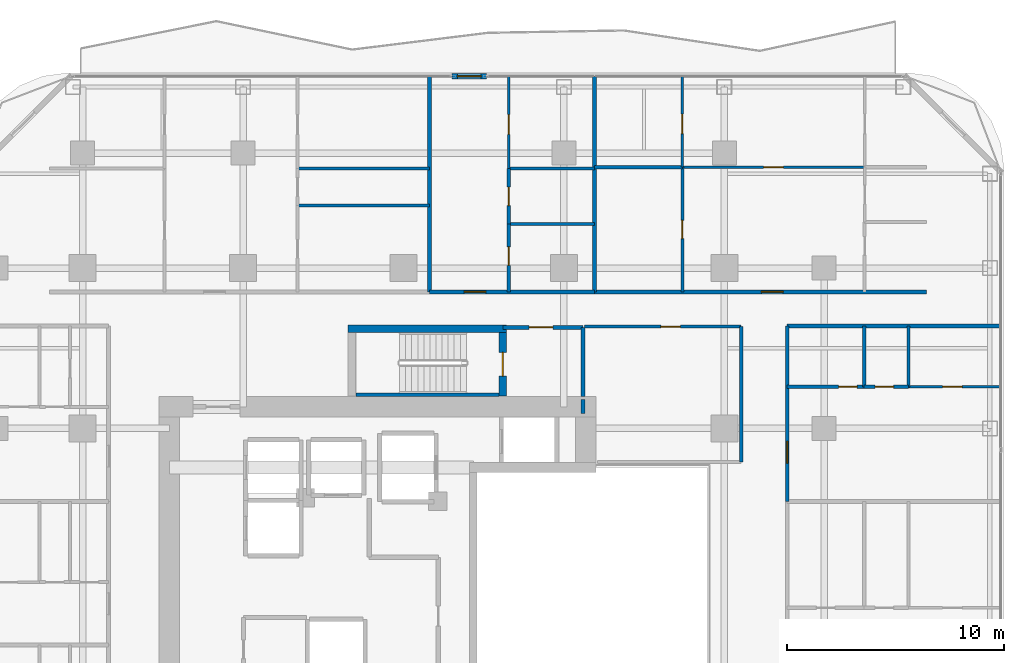
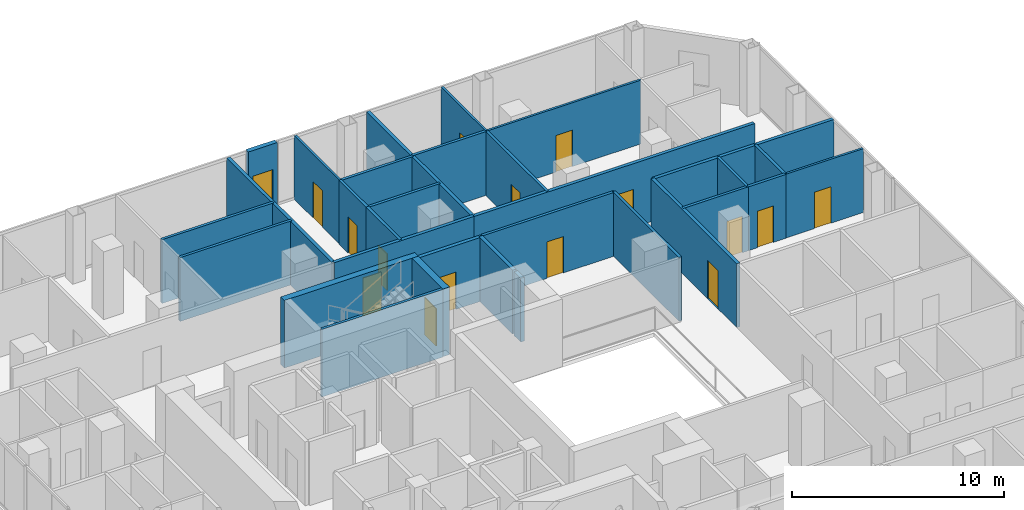
# One storey, part 25 of 29: 31 walls, 16 doors, 16 openings.
"""IFC4 building model written with IfcOpenShell, lengths in metres."""

from ifc_helpers import new_model, si_unit, direction, frame, frame_2d, origin, place, context, subcontext, project, spatial, rectangle, extrude, material, layer, layer_set, type_object, element, fill, save


model = new_model("IFC4")

# Units and contexts
model_context = context("Model", 3, precision=1e-05, world=origin(), true_north=direction((0.0, 1.0)))
body_context = subcontext(model_context, "Body", "Model", "MODEL_VIEW")
ifc_project = project(units=[si_unit("LENGTHUNIT", "METRE"), si_unit("AREAUNIT", "SQUARE_METRE"), si_unit("VOLUMEUNIT", "CUBIC_METRE"), si_unit("PLANEANGLEUNIT", "RADIAN"), si_unit("MASSUNIT", "GRAM", prefix="KILO")], contexts=[model_context])

# Site, building, storey
site_placement = place(None, origin())
site = spatial("IfcSite", under=ifc_project, at=site_placement, CompositionType="ELEMENT")
building_placement = place(site_placement, origin())
building = spatial("IfcBuilding", under=site, at=building_placement, Name="Khorvyn Point Tower", CompositionType="ELEMENT")
storey_placement = place(building_placement, frame((0.0, 0.0, 140.699951171875)))
storey = spatial("IfcBuildingStorey", under=building, at=storey_placement, Name="L35", CompositionType="ELEMENT", Elevation=140.699951171875)

# Wall, opening, door
ifc_material_1 = material(Name="Double acoustic gypsum on twin steel stud", Category="steel")
ifc_layer_1 = layer(ifc_material_1, 0.179931640625)
ifc_layer_set_1 = layer_set([ifc_layer_1], Name="Acoustic Double-Stud Apartment Demising Wall 180")
wall_type_1 = type_object("IfcWallType", Name="Acoustic Double-Stud Apartment Demising Wall 180", PredefinedType="PARTITIONING", material=ifc_layer_set_1)
wall_1_placement = place(storey_placement, frame((1.2041015625, 13.699951171875, 0.0), z_axis=(0.0, 0.0, 1.0), x_axis=(1.0, 0.0, 0.0)))
wall_1 = element("IfcWall", 1, at=wall_1_placement, inside=storey, type_object=wall_type_1, Name="Wall", PredefinedType="PARTITIONING", context=body_context, shape_type="SweptSolid", body=[
    extrude(rectangle(XDim=7.615966796875, YDim=0.179931640625, at=frame_2d((3.80810546875, 0.0))), origin(), (0.0, 0.0, 1.0), 3.679931640625),
])
opening_1_placement = place(wall_1_placement, frame((1.59912109375, 0.0, 0.0)))
opening_1 = element("IfcOpeningElement", 2, at=opening_1_placement, cuts=wall_1, Name="Opening ID-AP60", PredefinedType="OPENING", context=body_context, shape_type="SweptSolid", body=[
    extrude(rectangle(XDim=1.0, YDim=2.199951171875, at=frame_2d((0.5, 1.10009765625))), frame((0.0, 0.099853515625, 0.0), z_axis=(0.0, -1.0, 0.0), x_axis=(1.0, 0.0, 0.0)), (0.0, 0.0, 1.0), 0.199951171875),
])
ifc_material_2 = material(Name="Engineered hardwood fire-rated leaf", Category="wood")
door_type_1 = type_object("IfcDoorType", Name="Acoustic Solid-Core Timber Apartment Entrance Door 1000x2200", OperationType="NOTDEFINED", PredefinedType="DOOR", material=ifc_material_2)
door_1_placement = place(opening_1_placement, origin())
door_1 = element("IfcDoor", 3, at=door_1_placement, inside=storey, type_object=door_type_1, Name="Door", OperationType="SINGLE_SWING_LEFT", OverallHeight=2.199951171875, OverallWidth=1.0, PredefinedType="DOOR", context=body_context, shape_type="SweptSolid", body=[
    extrude(rectangle(XDim=1.0, YDim=2.199951171875, at=frame_2d((0.5, 1.10009765625))), frame((0.0, 0.02490234375, 0.0), z_axis=(0.0, -1.0, 0.0), x_axis=(1.0, 0.0, 0.0)), (0.0, 0.0, 1.0), 0.050048828125),
])
fill(opening_1, door_1)

wall_2_placement = place(storey_placement, frame((8.820068359375, 13.699951171875, 0.0), z_axis=(0.0, 0.0, 1.0), x_axis=(1.0, 0.0, 0.0)))
wall_2 = element("IfcWall", 4, at=wall_2_placement, inside=storey, type_object=wall_type_1, Name="Wall", PredefinedType="PARTITIONING", context=body_context, shape_type="SweptSolid", body=[
    extrude(rectangle(XDim=15.300048828125, YDim=0.179931640625, at=frame_2d((7.64990234375, 0.0))), origin(), (0.0, 0.0, 1.0), 3.679931640625),
])
opening_2_placement = place(wall_2_placement, frame((7.687744140625, 0.0, 0.0)))
opening_2 = element("IfcOpeningElement", 5, at=opening_2_placement, cuts=wall_2, Name="Opening ID-AP60", PredefinedType="OPENING", context=body_context, shape_type="SweptSolid", body=[
    extrude(rectangle(XDim=1.0, YDim=2.199951171875, at=frame_2d((0.5, 1.10009765625))), frame((0.0, 0.099853515625, 0.0), z_axis=(0.0, -1.0, 0.0), x_axis=(1.0, 0.0, 0.0)), (0.0, 0.0, 1.0), 0.199951171875),
])
door_2_placement = place(opening_2_placement, origin())
door_2 = element("IfcDoor", 6, at=door_2_placement, inside=storey, type_object=door_type_1, Name="Door", OperationType="SINGLE_SWING_LEFT", OverallHeight=2.199951171875, OverallWidth=1.0, PredefinedType="DOOR", context=body_context, shape_type="SweptSolid", body=[
    extrude(rectangle(XDim=1.0, YDim=2.199951171875, at=frame_2d((0.5, 1.10009765625))), frame((0.0, 0.02490234375, 0.0), z_axis=(0.0, -1.0, 0.0), x_axis=(1.0, 0.0, 0.0)), (0.0, 0.0, 1.0), 0.050048828125),
])
fill(opening_2, door_2)

wall_3_placement = place(storey_placement, frame((17.699951171875, 4.0400390625, 0.0), z_axis=(0.0, 0.0, 1.0), x_axis=(0.0, 1.0, 0.0)))
wall_3 = element("IfcWall", 7, at=wall_3_placement, inside=storey, type_object=wall_type_1, Name="Wall", PredefinedType="PARTITIONING", context=body_context, shape_type="SweptSolid", body=[
    extrude(rectangle(XDim=8.080078125, YDim=0.179931640625, at=frame_2d((4.0400390625, 0.0))), origin(), (0.0, 0.0, 1.0), 3.679931640625),
])
opening_3_placement = place(wall_3_placement, frame((1.760986328125, 0.0, 0.0)))
opening_3 = element("IfcOpeningElement", 8, at=opening_3_placement, cuts=wall_3, Name="Opening ID-AP60", PredefinedType="OPENING", context=body_context, shape_type="SweptSolid", body=[
    extrude(rectangle(XDim=1.0, YDim=2.199951171875, at=frame_2d((0.5, 1.10009765625))), frame((0.0, 0.099853515625, 0.0), z_axis=(0.0, -1.0, 0.0), x_axis=(1.0, 0.0, 0.0)), (0.0, 0.0, 1.0), 0.199951171875),
])
door_3_placement = place(opening_3_placement, origin())
door_3 = element("IfcDoor", 9, at=door_3_placement, inside=storey, type_object=door_type_1, Name="Door", OperationType="SINGLE_SWING_RIGHT", OverallHeight=2.199951171875, OverallWidth=1.0, PredefinedType="DOOR", context=body_context, shape_type="SweptSolid", body=[
    extrude(rectangle(XDim=1.0, YDim=2.199951171875, at=frame_2d((0.5, 1.10009765625))), frame((0.0, 0.02490234375, 0.0), z_axis=(0.0, -1.0, 0.0), x_axis=(1.0, 0.0, 0.0)), (0.0, 0.0, 1.0), 0.050048828125),
])
fill(opening_3, door_3)

# Walls
for number, where, z_axis, x_axis, name in (
    (10, (1.2041015625, 13.699951171875, 0.0), (0.0, 0.0, 1.0), (0.0, 1.0, 0.0), "Wall"),
    (11, (8.820068359375, 13.699951171875, 0.0), (0.0, 0.0, 1.0), (0.0, 1.0, 0.0), "Wall"),
):
    element("IfcWall", number, at=place(storey_placement, frame(where, z_axis=z_axis, x_axis=x_axis)), inside=storey, type_object=wall_type_1, Name=name, PredefinedType="PARTITIONING", context=body_context, shape_type="SweptSolid", body=[
        extrude(rectangle(XDim=9.929931640625, YDim=0.179931640625, at=frame_2d((4.96484375, 0.0))), origin(), (0.0, 0.0, 1.0), 3.679931640625),
    ])
wall_4_placement = place(storey_placement, frame((17.699951171875, 12.1201171875, 0.0), z_axis=(0.0, 0.0, 1.0), x_axis=(1.0, 0.0, 0.0)))
element("IfcWall", 12, at=wall_4_placement, inside=storey, type_object=wall_type_1, Name="Wall", PredefinedType="PARTITIONING", context=body_context, shape_type="SweptSolid", body=[
    extrude(rectangle(XDim=9.830078125, YDim=0.179931640625, at=frame_2d((4.9150390625, 0.0))), origin(), (0.0, 0.0, 1.0), 3.679931640625),
])

# Wall, opening, door
ifc_material_3 = material(Name="Pale anodised aluminium rainscreen on steel stud", Category="steel")
ifc_layer_2 = layer(ifc_material_3, 0.239990234375)
ifc_layer_set_2 = layer_set([ifc_layer_2], Name="Anodised Aluminium Insulated Corner Spandrel Wall 240")
wall_type_2 = type_object("IfcWallType", Name="Anodised Aluminium Insulated Corner Spandrel Wall 240", PredefinedType="SOLIDWALL", material=ifc_layer_set_2)
wall_5_placement = place(storey_placement, frame((2.241943359375, 23.64990234375, 0.0), z_axis=(0.0, 0.0, 1.0), x_axis=(1.0, 0.0, 0.0)))
wall_5 = element("IfcWall", 13, at=wall_5_placement, inside=storey, type_object=wall_type_2, Name="L35 North Outdoor Threshold Wall", PredefinedType="SOLIDWALL", context=body_context, shape_type="SweptSolid", body=[
    extrude(rectangle(XDim=1.580078125, YDim=0.239990234375, at=frame_2d((0.7900390625, 0.0))), origin(), (0.0, 0.0, 1.0), 3.679931640625),
])
opening_4_placement = place(wall_5_placement, frame((0.239990234375, 0.0, 0.0)))
opening_4 = element("IfcOpeningElement", 14, at=opening_4_placement, cuts=wall_5, Name="Opening BD-1122", PredefinedType="OPENING", context=body_context, shape_type="SweptSolid", body=[
    extrude(rectangle(XDim=1.10009765625, YDim=2.199951171875, at=frame_2d((0.550048828125, 1.10009765625))), frame((0.0, 0.1298828125, 0.0), z_axis=(0.0, -1.0, 0.0), x_axis=(1.0, 0.0, 0.0)), (0.0, 0.0, 1.0), 0.260009765625),
])
ifc_material_4 = material(Name="Anodised aluminium 6063-T6 and laminated Low-E glass", Category="aluminium")
door_type_2 = type_object("IfcDoorType", Name="Glazed Balcony and Terrace Threshold Door 1100x2200", OperationType="NOTDEFINED", PredefinedType="DOOR", material=ifc_material_4)
door_4_placement = place(opening_4_placement, origin())
door_4 = element("IfcDoor", 15, at=door_4_placement, inside=storey, type_object=door_type_2, Name="L35 North Glazed Balcony Outdoor Door", OperationType="SINGLE_SWING_LEFT", OverallHeight=2.199951171875, OverallWidth=1.10009765625, PredefinedType="DOOR", context=body_context, shape_type="SweptSolid", body=[
    extrude(rectangle(XDim=1.10009765625, YDim=2.199951171875, at=frame_2d((0.550048828125, 1.10009765625))), frame((0.0, 0.02490234375, 0.0), z_axis=(0.0, -1.0, 0.0), x_axis=(1.0, 0.0, 0.0)), (0.0, 0.0, 1.0), 0.050048828125),
])
fill(opening_4, door_4)

ifc_material_5 = material(Name="Concrete C40/50", Category="concrete")
ifc_layer_3 = layer(ifc_material_5, 0.199951171875)
ifc_layer_set_3 = layer_set([ifc_layer_3], Name="Concrete C40/50 Fire-Lobby Compartment Wall 200")
wall_type_3 = type_object("IfcWallType", Name="Concrete C40/50 Fire-Lobby Compartment Wall 200", PredefinedType="SOLIDWALL", material=ifc_layer_set_3)
wall_6_placement = place(storey_placement, frame((4.580078125, 12.06005859375, 0.0), z_axis=(0.0, 0.0, 1.0), x_axis=(1.0, 0.0, 0.0)))
wall_6 = element("IfcWall", 16, at=wall_6_placement, inside=storey, type_object=wall_type_3, Name="Wall", PredefinedType="SOLIDWALL", context=body_context, shape_type="SweptSolid", body=[
    extrude(rectangle(XDim=3.699951171875, YDim=0.199951171875, at=frame_2d((1.85009765625, 0.0))), origin(), (0.0, 0.0, 1.0), 3.679931640625),
])
opening_5_placement = place(wall_6_placement, frame((1.21240234375, 0.0, 0.0)))
opening_5 = element("IfcOpeningElement", 17, at=opening_5_placement, cuts=wall_6, Name="Opening ID-FL90", PredefinedType="OPENING", context=body_context, shape_type="SweptSolid", body=[
    extrude(rectangle(XDim=1.10009765625, YDim=2.14990234375, at=frame_2d((0.550048828125, 1.074951171875))), frame((0.0, 0.10986328125, 0.0), z_axis=(0.0, -1.0, 0.0), x_axis=(1.0, 0.0, 0.0)), (0.0, 0.0, 1.0), 0.219970703125),
])
ifc_material_6 = material(Name="Galvanised powder-coated steel", Category="steel")
door_type_3 = type_object("IfcDoorType", Name="Fire-Rated Steel Lobby and Stair Door 1100x2150", OperationType="NOTDEFINED", PredefinedType="DOOR", material=ifc_material_6)
door_5_placement = place(opening_5_placement, origin())
door_5 = element("IfcDoor", 18, at=door_5_placement, inside=storey, type_object=door_type_3, Name="Door", OperationType="SINGLE_SWING_LEFT", OverallHeight=2.14990234375, OverallWidth=1.10009765625, PredefinedType="DOOR", context=body_context, shape_type="SweptSolid", body=[
    extrude(rectangle(XDim=1.10009765625, YDim=2.14990234375, at=frame_2d((0.550048828125, 1.074951171875))), frame((0.0, 0.02490234375, 0.0), z_axis=(0.0, -1.0, 0.0), x_axis=(1.0, 0.0, 0.0)), (0.0, 0.0, 1.0), 0.050048828125),
])
fill(opening_5, door_5)

# Walls
wall_7_placement = place(storey_placement, frame((8.280029296875, 8.875, 0.0), z_axis=(0.0, 0.0, 1.0), x_axis=(0.0, 1.0, 0.0)))
element("IfcWall", 19, at=wall_7_placement, inside=storey, type_object=wall_type_3, Name="Wall", PredefinedType="SOLIDWALL", context=body_context, shape_type="SweptSolid", body=[
    extrude(rectangle(XDim=3.18505859375, YDim=0.199951171875, at=frame_2d((1.592529296875, 0.0))), origin(), (0.0, 0.0, 1.0), 3.679931640625),
])
wall_8_placement = place(storey_placement, frame((8.280029296875, 8.10009765625, 0.0), z_axis=(0.0, 0.0, 1.0), x_axis=(0.0, 1.0, 0.0)))
element("IfcWall", 20, at=wall_8_placement, inside=storey, type_object=wall_type_3, Name="Wall", PredefinedType="SOLIDWALL", context=body_context, shape_type="SweptSolid", body=[
    extrude(rectangle(XDim=0.625, YDim=0.199951171875, at=frame_2d((0.3125, 0.0))), origin(), (0.0, 0.0, 1.0), 3.679931640625),
])
ifc_layer_4 = layer(ifc_material_5, 0.25)
ifc_layer_set_4 = layer_set([ifc_layer_4], Name="Concrete C40/50 Stair Inner Cheek Structural Wall 250")
wall_type_4 = type_object("IfcWallType", Name="Concrete C40/50 Stair Inner Cheek Structural Wall 250", PredefinedType="SHEAR", material=ifc_layer_set_4)
wall_9_placement = place(storey_placement, frame((-2.199951171875, 8.949951171875, 0.0), z_axis=(0.0, 0.0, 1.0), x_axis=(1.0, 0.0, 0.0)))
element("IfcWall", 21, at=wall_9_placement, inside=storey, type_object=wall_type_4, Name="Wall", PredefinedType="SHEAR", context=body_context, shape_type="SweptSolid", body=[
    extrude(rectangle(XDim=6.599853515625, YDim=0.14990234375, at=frame_2d((3.2998046875, 0.0))), origin(), (0.0, 0.0, 1.0), 3.900146484375),
])
ifc_layer_5 = layer(ifc_material_5, 0.35009765625)
ifc_layer_set_5 = layer_set([ifc_layer_5], Name="Concrete C40/50 Stair Shaft Structural Wall 350")
wall_type_5 = type_object("IfcWallType", Name="Concrete C40/50 Stair Shaft Structural Wall 350", PredefinedType="SHEAR", material=ifc_layer_set_5)
wall_10_placement = place(storey_placement, frame((-2.554931640625, 12.0, 0.0), z_axis=(0.0, 0.0, 1.0), x_axis=(1.0, 0.0, 0.0)))
element("IfcWall", 22, at=wall_10_placement, inside=storey, type_object=wall_type_5, Name="L35 ST-02 North Shaft Wall", PredefinedType="SHEAR", context=body_context, shape_type="SweptSolid", body=[
    extrude(rectangle(XDim=7.309814453125, YDim=0.35009765625, at=frame_2d((3.65478515625, 0.0))), origin(), (0.0, 0.0, 1.0), 3.900146484375),
])

# Wall, opening, door
wall_11_placement = place(storey_placement, frame((4.580078125, 11.824951171875, 0.0), z_axis=(0.0, 0.0, 1.0), x_axis=(0.0, -1.0, 0.0)))
wall_11 = element("IfcWall", 23, at=wall_11_placement, inside=storey, type_object=wall_type_5, Name="L35 ST-02 East Landing Door Wall", PredefinedType="SHEAR", context=body_context, shape_type="SweptSolid", body=[
    extrude(rectangle(XDim=2.925048828125, YDim=0.35009765625, at=frame_2d((1.46240234375, 0.0))), origin(), (0.0, 0.0, 1.0), 3.900146484375),
])
opening_6_placement = place(wall_11_placement, frame((0.91259765625, 0.0, 0.0)))
opening_6 = element("IfcOpeningElement", 24, at=opening_6_placement, cuts=wall_11, Name="Opening ID-FL90", PredefinedType="OPENING", context=body_context, shape_type="SweptSolid", body=[
    extrude(rectangle(XDim=1.10009765625, YDim=2.14990234375, at=frame_2d((0.550048828125, 1.074951171875))), frame((0.0, 0.18505859375, 0.0), z_axis=(0.0, -1.0, 0.0), x_axis=(1.0, 0.0, 0.0)), (0.0, 0.0, 1.0), 0.3701171875),
])
door_6_placement = place(opening_6_placement, origin())
door_6 = element("IfcDoor", 25, at=door_6_placement, inside=storey, type_object=door_type_3, Name="L35 ST-02 Smokeproof Landing Door", OperationType="SINGLE_SWING_RIGHT", OverallHeight=2.14990234375, OverallWidth=1.10009765625, PredefinedType="DOOR", context=body_context, shape_type="SweptSolid", body=[
    extrude(rectangle(XDim=1.10009765625, YDim=2.14990234375, at=frame_2d((0.550048828125, 1.074951171875))), frame((0.0, 0.02490234375, 0.0), z_axis=(0.0, -1.0, 0.0), x_axis=(1.0, 0.0, 0.0)), (0.0, 0.0, 1.0), 0.050048828125),
])
fill(opening_6, door_6)

ifc_material_7 = material(Name="Gypsum plasterboard on steel stud", Category="steel")
ifc_layer_6 = layer(ifc_material_7, 0.1201171875)
ifc_layer_set_6 = layer_set([ifc_layer_6], Name="Gypsum Acoustic Stud Room Partition Wall 120")
wall_type_6 = type_object("IfcWallType", Name="Gypsum Acoustic Stud Room Partition Wall 120", PredefinedType="PARTITIONING", material=ifc_layer_set_6)
wall_12_placement = place(storey_placement, frame((4.860107421875, 19.389892578125, 0.0), z_axis=(0.0, 0.0, 1.0), x_axis=(0.0, 1.0, 0.0)))
wall_12 = element("IfcWall", 26, at=wall_12_placement, inside=storey, type_object=wall_type_6, Name="Wall", PredefinedType="PARTITIONING", context=body_context, shape_type="SweptSolid", body=[
    extrude(rectangle(XDim=4.239990234375, YDim=0.1201171875, at=frame_2d((2.1201171875, 0.0))), origin(), (0.0, 0.0, 1.0), 3.679931640625),
])
opening_7_placement = place(wall_12_placement, frame((1.581298828125, 0.0, 0.0)))
opening_7 = element("IfcOpeningElement", 27, at=opening_7_placement, cuts=wall_12, Name="Opening ID-RM90", PredefinedType="OPENING", context=body_context, shape_type="SweptSolid", body=[
    extrude(rectangle(XDim=0.89990234375, YDim=2.10009765625, at=frame_2d((0.449951171875, 1.050048828125))), frame((0.0, 0.070068359375, 0.0), z_axis=(0.0, -1.0, 0.0), x_axis=(1.0, 0.0, 0.0)), (0.0, 0.0, 1.0), 0.14013671875),
])
ifc_material_8 = material(Name="Engineered oak veneer timber", Category="wood")
door_type_4 = type_object("IfcDoorType", Name="Flush Engineered Timber Room Door 900x2100", OperationType="NOTDEFINED", PredefinedType="DOOR", material=ifc_material_8)
door_7_placement = place(opening_7_placement, origin())
door_7 = element("IfcDoor", 28, at=door_7_placement, inside=storey, type_object=door_type_4, Name="Door", OperationType="SINGLE_SWING_RIGHT", OverallHeight=2.10009765625, OverallWidth=0.89990234375, PredefinedType="DOOR", context=body_context, shape_type="SweptSolid", body=[
    extrude(rectangle(XDim=0.89990234375, YDim=2.10009765625, at=frame_2d((0.449951171875, 1.050048828125))), frame((0.0, 0.02490234375, 0.0), z_axis=(0.0, -1.0, 0.0), x_axis=(1.0, 0.0, 0.0)), (0.0, 0.0, 1.0), 0.050048828125),
])
fill(opening_7, door_7)

wall_13_placement = place(storey_placement, frame((12.865966796875, 19.455078125, 0.0), z_axis=(0.0, 0.0, 1.0), x_axis=(1.0, 0.0, 0.0)))
wall_13 = element("IfcWall", 29, at=wall_13_placement, inside=storey, type_object=wall_type_6, Name="Wall", PredefinedType="PARTITIONING", context=body_context, shape_type="SweptSolid", body=[
    extrude(rectangle(XDim=8.404052734375, YDim=0.1201171875, at=frame_2d((4.2021484375, 0.0))), origin(), (0.0, 0.0, 1.0), 3.679931640625),
])
opening_8_placement = place(wall_13_placement, frame((3.751953125, 0.0, 0.0)))
opening_8 = element("IfcOpeningElement", 30, at=opening_8_placement, cuts=wall_13, Name="Opening ID-RM90", PredefinedType="OPENING", context=body_context, shape_type="SweptSolid", body=[
    extrude(rectangle(XDim=0.89990234375, YDim=2.10009765625, at=frame_2d((0.449951171875, 1.050048828125))), frame((0.0, 0.070068359375, 0.0), z_axis=(0.0, -1.0, 0.0), x_axis=(1.0, 0.0, 0.0)), (0.0, 0.0, 1.0), 0.14013671875),
])
door_8_placement = place(opening_8_placement, origin())
door_8 = element("IfcDoor", 31, at=door_8_placement, inside=storey, type_object=door_type_4, Name="Door", OperationType="SINGLE_SWING_RIGHT", OverallHeight=2.10009765625, OverallWidth=0.89990234375, PredefinedType="DOOR", context=body_context, shape_type="SweptSolid", body=[
    extrude(rectangle(XDim=0.89990234375, YDim=2.10009765625, at=frame_2d((0.449951171875, 1.050048828125))), frame((0.0, 0.02490234375, 0.0), z_axis=(0.0, -1.0, 0.0), x_axis=(1.0, 0.0, 0.0)), (0.0, 0.0, 1.0), 0.050048828125),
])
fill(opening_8, door_8)

wall_14_placement = place(storey_placement, frame((12.865966796875, 19.455078125, 0.0), z_axis=(0.0, 0.0, 1.0), x_axis=(0.0, 1.0, 0.0)))
wall_14 = element("IfcWall", 32, at=wall_14_placement, inside=storey, type_object=wall_type_6, Name="Wall", PredefinedType="PARTITIONING", context=body_context, shape_type="SweptSolid", body=[
    extrude(rectangle(XDim=4.1748046875, YDim=0.1201171875, at=frame_2d((2.08740234375, 0.0))), origin(), (0.0, 0.0, 1.0), 3.679931640625),
])
opening_9_placement = place(wall_14_placement, frame((1.550537109375, 0.0, 0.0)))
opening_9 = element("IfcOpeningElement", 33, at=opening_9_placement, cuts=wall_14, Name="Opening ID-RM90", PredefinedType="OPENING", context=body_context, shape_type="SweptSolid", body=[
    extrude(rectangle(XDim=0.89990234375, YDim=2.10009765625, at=frame_2d((0.449951171875, 1.050048828125))), frame((0.0, 0.070068359375, 0.0), z_axis=(0.0, -1.0, 0.0), x_axis=(1.0, 0.0, 0.0)), (0.0, 0.0, 1.0), 0.14013671875),
])
door_9_placement = place(opening_9_placement, origin())
door_9 = element("IfcDoor", 34, at=door_9_placement, inside=storey, type_object=door_type_4, Name="Door", OperationType="SINGLE_SWING_RIGHT", OverallHeight=2.10009765625, OverallWidth=0.89990234375, PredefinedType="DOOR", context=body_context, shape_type="SweptSolid", body=[
    extrude(rectangle(XDim=0.89990234375, YDim=2.10009765625, at=frame_2d((0.449951171875, 1.050048828125))), frame((0.0, 0.02490234375, 0.0), z_axis=(0.0, -1.0, 0.0), x_axis=(1.0, 0.0, 0.0)), (0.0, 0.0, 1.0), 0.050048828125),
])
fill(opening_9, door_9)

wall_15_placement = place(storey_placement, frame((23.2900390625, 9.320068359375, 0.0), z_axis=(0.0, 0.0, 1.0), x_axis=(1.0, 0.0, 0.0)))
wall_15 = element("IfcWall", 35, at=wall_15_placement, inside=storey, type_object=wall_type_6, Name="Wall", PredefinedType="PARTITIONING", context=body_context, shape_type="SweptSolid", body=[
    extrude(rectangle(XDim=4.239990234375, YDim=0.1201171875, at=frame_2d((2.1201171875, 0.0))), origin(), (0.0, 0.0, 1.0), 3.679931640625),
])
opening_10_placement = place(wall_15_placement, frame((1.581298828125, 0.0, 0.0)))
opening_10 = element("IfcOpeningElement", 36, at=opening_10_placement, cuts=wall_15, Name="Opening ID-RM90", PredefinedType="OPENING", context=body_context, shape_type="SweptSolid", body=[
    extrude(rectangle(XDim=0.89990234375, YDim=2.10009765625, at=frame_2d((0.449951171875, 1.050048828125))), frame((0.0, 0.070068359375, 0.0), z_axis=(0.0, -1.0, 0.0), x_axis=(1.0, 0.0, 0.0)), (0.0, 0.0, 1.0), 0.14013671875),
])
door_10_placement = place(opening_10_placement, origin())
door_10 = element("IfcDoor", 37, at=door_10_placement, inside=storey, type_object=door_type_4, Name="Door", OperationType="SINGLE_SWING_LEFT", OverallHeight=2.10009765625, OverallWidth=0.89990234375, PredefinedType="DOOR", context=body_context, shape_type="SweptSolid", body=[
    extrude(rectangle(XDim=0.89990234375, YDim=2.10009765625, at=frame_2d((0.449951171875, 1.050048828125))), frame((0.0, 0.02490234375, 0.0), z_axis=(0.0, -1.0, 0.0), x_axis=(1.0, 0.0, 0.0)), (0.0, 0.0, 1.0), 0.050048828125),
])
fill(opening_10, door_10)

ifc_material_9 = material(Name="Moisture-resistant gypsum and cement board", Category="gypsum")
ifc_layer_7 = layer(ifc_material_9, 0.14990234375)
ifc_layer_set_7 = layer_set([ifc_layer_7], Name="Moisture-Resistant Wet-Room Partition Wall 150")
wall_type_7 = type_object("IfcWallType", Name="Moisture-Resistant Wet-Room Partition Wall 150", PredefinedType="PARTITIONING", material=ifc_layer_set_7)
wall_16_placement = place(storey_placement, frame((8.360107421875, 12.10009765625, 0.0), z_axis=(0.0, 0.0, 1.0), x_axis=(1.0, 0.0, 0.0)))
wall_16 = element("IfcWall", 38, at=wall_16_placement, inside=storey, type_object=wall_type_7, Name="Wall", PredefinedType="PARTITIONING", context=body_context, shape_type="SweptSolid", body=[
    extrude(rectangle(XDim=7.219970703125, YDim=0.14990234375, at=frame_2d((3.60986328125, 0.0))), origin(), (0.0, 0.0, 1.0), 3.679931640625),
])
opening_11_placement = place(wall_16_placement, frame((3.512939453125, 0.0, 0.0)))
opening_11 = element("IfcOpeningElement", 39, at=opening_11_placement, cuts=wall_16, Name="Opening ID-RM90", PredefinedType="OPENING", context=body_context, shape_type="SweptSolid", body=[
    extrude(rectangle(XDim=0.89990234375, YDim=2.10009765625, at=frame_2d((0.449951171875, 1.050048828125))), frame((0.0, 0.0849609375, 0.0), z_axis=(0.0, -1.0, 0.0), x_axis=(1.0, 0.0, 0.0)), (0.0, 0.0, 1.0), 0.169921875),
])
door_11_placement = place(opening_11_placement, origin())
door_11 = element("IfcDoor", 40, at=door_11_placement, inside=storey, type_object=door_type_4, Name="Door", OperationType="SINGLE_SWING_RIGHT", OverallHeight=2.10009765625, OverallWidth=0.89990234375, PredefinedType="DOOR", context=body_context, shape_type="SweptSolid", body=[
    extrude(rectangle(XDim=0.89990234375, YDim=2.10009765625, at=frame_2d((0.449951171875, 1.050048828125))), frame((0.0, 0.02490234375, 0.0), z_axis=(0.0, -1.0, 0.0), x_axis=(1.0, 0.0, 0.0)), (0.0, 0.0, 1.0), 0.050048828125),
])
fill(opening_11, door_11)

wall_17_placement = place(storey_placement, frame((4.860107421875, 13.699951171875, 0.0), z_axis=(0.0, 0.0, 1.0), x_axis=(0.0, 1.0, 0.0)))
wall_17 = element("IfcWall", 41, at=wall_17_placement, inside=storey, type_object=wall_type_7, Name="Wall", PredefinedType="PARTITIONING", context=body_context, shape_type="SweptSolid", body=[
    extrude(rectangle(XDim=3.129150390625, YDim=0.14990234375, at=frame_2d((1.564453125, 0.0))), origin(), (0.0, 0.0, 1.0), 3.679931640625),
])
opening_12_placement = place(wall_17_placement, frame((1.228515625, 0.0, 0.0)))
opening_12 = element("IfcOpeningElement", 42, at=opening_12_placement, cuts=wall_17, Name="Opening ID-WC85", PredefinedType="OPENING", context=body_context, shape_type="SweptSolid", body=[
    extrude(rectangle(XDim=0.85009765625, YDim=2.10009765625, at=frame_2d((0.425048828125, 1.050048828125))), frame((0.0, 0.0849609375, 0.0), z_axis=(0.0, -1.0, 0.0), x_axis=(1.0, 0.0, 0.0)), (0.0, 0.0, 1.0), 0.169921875),
])
ifc_material_10 = material(Name="High-pressure laminate on moisture-resistant core", Category="wood")
door_type_5 = type_object("IfcDoorType", Name="Moisture-Resistant Accessible Washroom Door 850x2100", OperationType="NOTDEFINED", PredefinedType="DOOR", material=ifc_material_10)
door_12_placement = place(opening_12_placement, origin())
door_12 = element("IfcDoor", 43, at=door_12_placement, inside=storey, type_object=door_type_5, Name="Door", OperationType="SINGLE_SWING_RIGHT", OverallHeight=2.10009765625, OverallWidth=0.85009765625, PredefinedType="DOOR", context=body_context, shape_type="SweptSolid", body=[
    extrude(rectangle(XDim=0.85009765625, YDim=2.10009765625, at=frame_2d((0.425048828125, 1.050048828125))), frame((0.0, 0.02490234375, 0.0), z_axis=(0.0, -1.0, 0.0), x_axis=(1.0, 0.0, 0.0)), (0.0, 0.0, 1.0), 0.050048828125),
])
fill(opening_12, door_12)

wall_18_placement = place(storey_placement, frame((4.860107421875, 16.8291015625, 0.0), z_axis=(0.0, 0.0, 1.0), x_axis=(0.0, 1.0, 0.0)))
wall_18 = element("IfcWall", 44, at=wall_18_placement, inside=storey, type_object=wall_type_7, Name="Wall", PredefinedType="PARTITIONING", context=body_context, shape_type="SweptSolid", body=[
    extrude(rectangle(XDim=2.560791015625, YDim=0.14990234375, at=frame_2d((1.2802734375, 0.0))), origin(), (0.0, 0.0, 1.0), 3.679931640625),
])
opening_13_placement = place(wall_18_placement, frame((0.85546875, 0.0, 0.0)))
opening_13 = element("IfcOpeningElement", 45, at=opening_13_placement, cuts=wall_18, Name="Opening ID-WC85", PredefinedType="OPENING", context=body_context, shape_type="SweptSolid", body=[
    extrude(rectangle(XDim=0.85009765625, YDim=2.10009765625, at=frame_2d((0.425048828125, 1.050048828125))), frame((0.0, 0.0849609375, 0.0), z_axis=(0.0, -1.0, 0.0), x_axis=(1.0, 0.0, 0.0)), (0.0, 0.0, 1.0), 0.169921875),
])
door_13_placement = place(opening_13_placement, origin())
door_13 = element("IfcDoor", 46, at=door_13_placement, inside=storey, type_object=door_type_5, Name="Door", OperationType="SINGLE_SWING_LEFT", OverallHeight=2.10009765625, OverallWidth=0.85009765625, PredefinedType="DOOR", context=body_context, shape_type="SweptSolid", body=[
    extrude(rectangle(XDim=0.85009765625, YDim=2.10009765625, at=frame_2d((0.425048828125, 1.050048828125))), frame((0.0, 0.02490234375, 0.0), z_axis=(0.0, -1.0, 0.0), x_axis=(1.0, 0.0, 0.0)), (0.0, 0.0, 1.0), 0.050048828125),
])
fill(opening_13, door_13)

wall_19_placement = place(storey_placement, frame((12.865966796875, 13.699951171875, 0.0), z_axis=(0.0, 0.0, 1.0), x_axis=(0.0, 1.0, 0.0)))
wall_19 = element("IfcWall", 47, at=wall_19_placement, inside=storey, type_object=wall_type_7, Name="Wall", PredefinedType="PARTITIONING", context=body_context, shape_type="SweptSolid", body=[
    extrude(rectangle(XDim=5.755126953125, YDim=0.14990234375, at=frame_2d((2.87744140625, 0.0))), origin(), (0.0, 0.0, 1.0), 3.679931640625),
])
opening_14_placement = place(wall_19_placement, frame((2.452392578125, 0.0, 0.0)))
opening_14 = element("IfcOpeningElement", 48, at=opening_14_placement, cuts=wall_19, Name="Opening ID-WC85", PredefinedType="OPENING", context=body_context, shape_type="SweptSolid", body=[
    extrude(rectangle(XDim=0.85009765625, YDim=2.10009765625, at=frame_2d((0.425048828125, 1.050048828125))), frame((0.0, 0.0849609375, 0.0), z_axis=(0.0, -1.0, 0.0), x_axis=(1.0, 0.0, 0.0)), (0.0, 0.0, 1.0), 0.169921875),
])
door_14_placement = place(opening_14_placement, origin())
door_14 = element("IfcDoor", 49, at=door_14_placement, inside=storey, type_object=door_type_5, Name="Door", OperationType="SINGLE_SWING_LEFT", OverallHeight=2.10009765625, OverallWidth=0.85009765625, PredefinedType="DOOR", context=body_context, shape_type="SweptSolid", body=[
    extrude(rectangle(XDim=0.85009765625, YDim=2.10009765625, at=frame_2d((0.425048828125, 1.050048828125))), frame((0.0, 0.02490234375, 0.0), z_axis=(0.0, -1.0, 0.0), x_axis=(1.0, 0.0, 0.0)), (0.0, 0.0, 1.0), 0.050048828125),
])
fill(opening_14, door_14)

wall_20_placement = place(storey_placement, frame((17.699951171875, 9.320068359375, 0.0), z_axis=(0.0, 0.0, 1.0), x_axis=(1.0, 0.0, 0.0)))
wall_20 = element("IfcWall", 50, at=wall_20_placement, inside=storey, type_object=wall_type_7, Name="Wall", PredefinedType="PARTITIONING", context=body_context, shape_type="SweptSolid", body=[
    extrude(rectangle(XDim=3.552001953125, YDim=0.14990234375, at=frame_2d((1.77587890625, 0.0))), origin(), (0.0, 0.0, 1.0), 3.679931640625),
])
opening_15_placement = place(wall_20_placement, frame((2.371826171875, 0.0, 0.0)))
opening_15 = element("IfcOpeningElement", 51, at=opening_15_placement, cuts=wall_20, Name="Opening ID-WC85", PredefinedType="OPENING", context=body_context, shape_type="SweptSolid", body=[
    extrude(rectangle(XDim=0.85009765625, YDim=2.10009765625, at=frame_2d((0.425048828125, 1.050048828125))), frame((0.0, 0.0849609375, 0.0), z_axis=(0.0, -1.0, 0.0), x_axis=(1.0, 0.0, 0.0)), (0.0, 0.0, 1.0), 0.169921875),
])
door_15_placement = place(opening_15_placement, origin())
door_15 = element("IfcDoor", 52, at=door_15_placement, inside=storey, type_object=door_type_5, Name="Door", OperationType="SINGLE_SWING_LEFT", OverallHeight=2.10009765625, OverallWidth=0.85009765625, PredefinedType="DOOR", context=body_context, shape_type="SweptSolid", body=[
    extrude(rectangle(XDim=0.85009765625, YDim=2.10009765625, at=frame_2d((0.425048828125, 1.050048828125))), frame((0.0, 0.02490234375, 0.0), z_axis=(0.0, -1.0, 0.0), x_axis=(1.0, 0.0, 0.0)), (0.0, 0.0, 1.0), 0.050048828125),
])
fill(opening_15, door_15)

wall_21_placement = place(storey_placement, frame((21.251953125, 9.320068359375, 0.0), z_axis=(0.0, 0.0, 1.0), x_axis=(1.0, 0.0, 0.0)))
wall_21 = element("IfcWall", 53, at=wall_21_placement, inside=storey, type_object=wall_type_7, Name="Wall", PredefinedType="PARTITIONING", context=body_context, shape_type="SweptSolid", body=[
    extrude(rectangle(XDim=2.0380859375, YDim=0.14990234375, at=frame_2d((1.01904296875, 0.0))), origin(), (0.0, 0.0, 1.0), 3.679931640625),
])
opening_16_placement = place(wall_21_placement, frame((0.507080078125, 0.0, 0.0)))
opening_16 = element("IfcOpeningElement", 54, at=opening_16_placement, cuts=wall_21, Name="Opening ID-WC85", PredefinedType="OPENING", context=body_context, shape_type="SweptSolid", body=[
    extrude(rectangle(XDim=0.85009765625, YDim=2.10009765625, at=frame_2d((0.425048828125, 1.050048828125))), frame((0.0, 0.0849609375, 0.0), z_axis=(0.0, -1.0, 0.0), x_axis=(1.0, 0.0, 0.0)), (0.0, 0.0, 1.0), 0.169921875),
])
door_16_placement = place(opening_16_placement, origin())
door_16 = element("IfcDoor", 55, at=door_16_placement, inside=storey, type_object=door_type_5, Name="Door", OperationType="SINGLE_SWING_RIGHT", OverallHeight=2.10009765625, OverallWidth=0.85009765625, PredefinedType="DOOR", context=body_context, shape_type="SweptSolid", body=[
    extrude(rectangle(XDim=0.85009765625, YDim=2.10009765625, at=frame_2d((0.425048828125, 1.050048828125))), frame((0.0, 0.02490234375, 0.0), z_axis=(0.0, -1.0, 0.0), x_axis=(1.0, 0.0, 0.0)), (0.0, 0.0, 1.0), 0.050048828125),
])
fill(opening_16, door_16)

# Walls
wall_22_placement = place(storey_placement, frame((15.580078125, 5.85009765625, 0.0), z_axis=(0.0, 0.0, 1.0), x_axis=(0.0, 1.0, 0.0)))
element("IfcWall", 56, at=wall_22_placement, inside=storey, type_object=wall_type_7, Name="Wall", PredefinedType="PARTITIONING", context=body_context, shape_type="SweptSolid", body=[
    extrude(rectangle(XDim=6.25, YDim=0.14990234375, at=frame_2d((3.125, 0.0))), origin(), (0.0, 0.0, 1.0), 3.679931640625),
])
for number, where, z_axis, x_axis, name in (
    (57, (-4.889892578125, 17.68310546875, 0.0), (0.0, 0.0, 1.0), (1.0, 0.0, 0.0), "Wall"),
    (58, (-4.889892578125, 19.389892578125, 0.0), (0.0, 0.0, 1.0), (1.0, 0.0, 0.0), "Wall"),
):
    element("IfcWall", number, at=place(storey_placement, frame(where, z_axis=z_axis, x_axis=x_axis)), inside=storey, type_object=wall_type_7, Name=name, PredefinedType="PARTITIONING", context=body_context, shape_type="SweptSolid", body=[
        extrude(rectangle(XDim=6.093994140625, YDim=0.14990234375, at=frame_2d((3.046875, 0.0))), origin(), (0.0, 0.0, 1.0), 3.679931640625),
    ])
for number, where, z_axis, x_axis, name in (
    (59, (4.860107421875, 16.8291015625, 0.0), (0.0, 0.0, 1.0), (1.0, 0.0, 0.0), "Wall"),
    (60, (4.860107421875, 19.389892578125, 0.0), (0.0, 0.0, 1.0), (1.0, 0.0, 0.0), "Wall"),
):
    element("IfcWall", number, at=place(storey_placement, frame(where, z_axis=z_axis, x_axis=x_axis)), inside=storey, type_object=wall_type_7, Name=name, PredefinedType="PARTITIONING", context=body_context, shape_type="SweptSolid", body=[
        extrude(rectangle(XDim=3.9599609375, YDim=0.14990234375, at=frame_2d((1.97998046875, 0.0))), origin(), (0.0, 0.0, 1.0), 3.679931640625),
    ])
wall_23_placement = place(storey_placement, frame((8.820068359375, 19.455078125, 0.0), z_axis=(0.0, 0.0, 1.0), x_axis=(1.0, 0.0, 0.0)))
element("IfcWall", 61, at=wall_23_placement, inside=storey, type_object=wall_type_7, Name="Wall", PredefinedType="PARTITIONING", context=body_context, shape_type="SweptSolid", body=[
    extrude(rectangle(XDim=4.0458984375, YDim=0.14990234375, at=frame_2d((2.02294921875, 0.0))), origin(), (0.0, 0.0, 1.0), 3.679931640625),
])
for number, where, z_axis, x_axis, name in (
    (62, (21.251953125, 9.320068359375, 0.0), (0.0, 0.0, 1.0), (0.0, 1.0, 0.0), "Wall"),
    (63, (23.2900390625, 9.320068359375, 0.0), (0.0, 0.0, 1.0), (0.0, 1.0, 0.0), "Wall"),
):
    element("IfcWall", number, at=place(storey_placement, frame(where, z_axis=z_axis, x_axis=x_axis)), inside=storey, type_object=wall_type_7, Name=name, PredefinedType="PARTITIONING", context=body_context, shape_type="SweptSolid", body=[
        extrude(rectangle(XDim=2.800048828125, YDim=0.14990234375, at=frame_2d((1.39990234375, 0.0))), origin(), (0.0, 0.0, 1.0), 3.679931640625),
    ])

save(model, "model.ifc")
